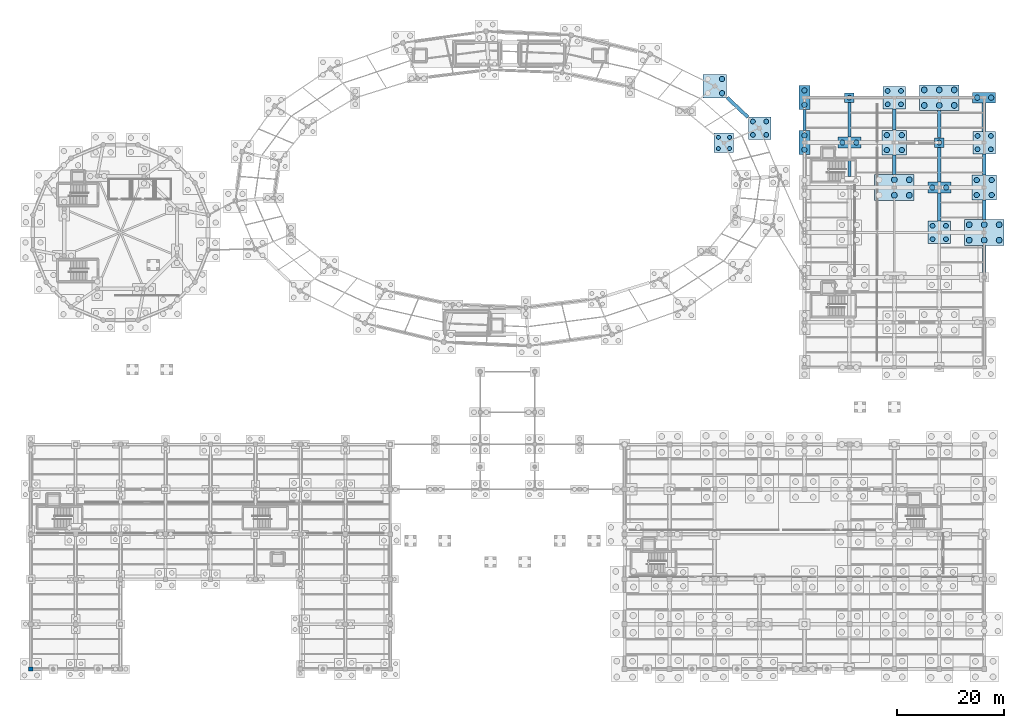
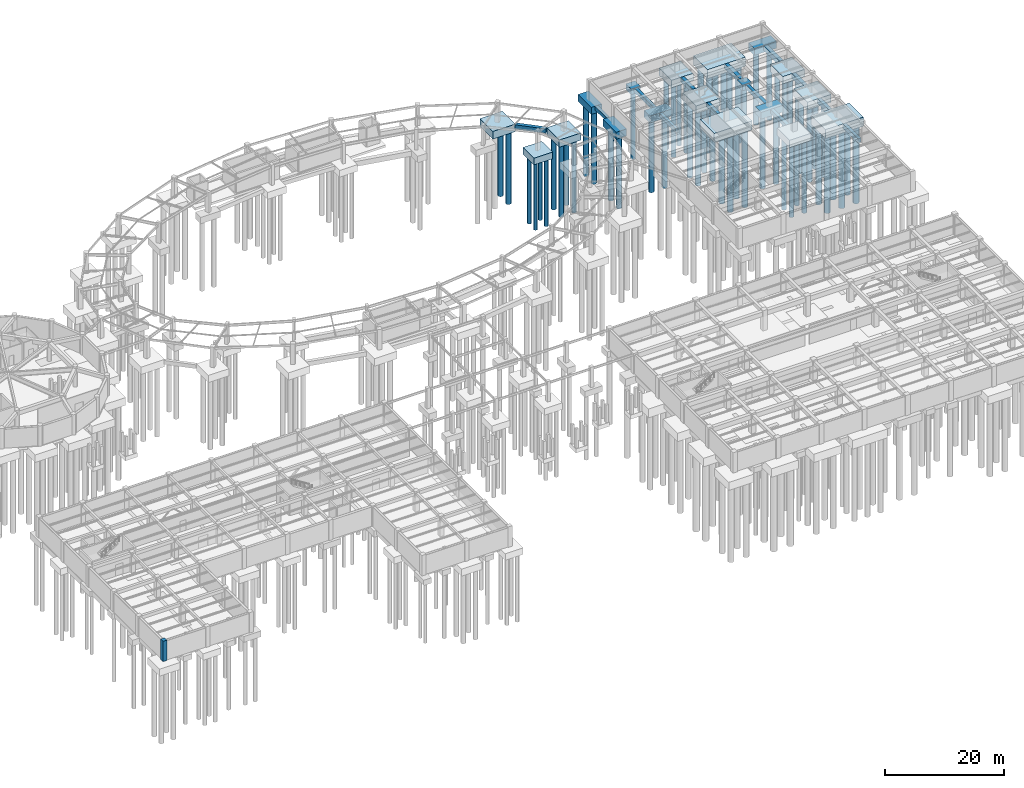
# One storey, part 10 of 38: 58 piles, 31 footings, 1 column.
"""IFC4 building model written with IfcOpenShell, lengths in metres."""

from ifc_helpers import new_model, si_unit, direction, frame, origin, origin_with_axes, origin_2d, place, context, subcontext, project, spatial, polyline, rectangle, circle, outline, extrude, material, material_profile, profile_set, type_object, element, save


model = new_model("IFC4")

# Units and contexts
model_context = context("Model", 3, precision=1e-05, world=origin(), true_north=direction((0.0, 1.0)))
body_context = subcontext(model_context, "Body", "Model", "MODEL_VIEW")
ifc_project = project(units=[si_unit("LENGTHUNIT", "METRE"), si_unit("AREAUNIT", "SQUARE_METRE"), si_unit("VOLUMEUNIT", "CUBIC_METRE"), si_unit("PLANEANGLEUNIT", "RADIAN"), si_unit("MASSUNIT", "GRAM", prefix="KILO"), si_unit("THERMODYNAMICTEMPERATUREUNIT", "KELVIN"), si_unit("POWERUNIT", "WATT")], contexts=[model_context])

# Site, building, storey
site_placement = place(None, origin())
site = spatial("IfcSite", under=ifc_project, at=site_placement, CompositionType="ELEMENT")
building_placement = place(site_placement, origin())
building = spatial("IfcBuilding", under=site, at=building_placement, Name="Darbajah Civic Hall", CompositionType="ELEMENT")
storey_placement = place(building_placement, frame((0.0, 0.0, -4.199951171875)))
storey = spatial("IfcBuildingStorey", under=building, at=storey_placement, Name="B01", CompositionType="ELEMENT", Elevation=-4.199951171875)

# Piles
ifc_material_1 = material(Name="Concrete C45/55", Category="concrete")
ifc_material_profile_1 = material_profile(ifc_material_1, circle(Radius=0.5, at=origin_2d()), Name="BORED PILE D1000")
ifc_profile_set_1 = profile_set([ifc_material_profile_1], Name="Concrete C45/55")
pile_type_1 = type_object("IfcPileType", Name="BORED PILE D1000", PredefinedType="BORED", material=ifc_profile_set_1)
for number, where, z_axis, x_axis, name in (
    (1, (129.205810546875, 107.6337890625, -1.449951171875), (0.0, 0.0, -1.0), (1.0, 0.0, 0.0), "B01 bored pile P-1000 V1O-02-2"),
    (2, (129.205810546875, 110.28369140625, -1.449951171875), (0.0, 0.0, -1.0), (1.0, 0.0, 0.0), "B01 bored pile P-1000 V1O-02-4"),
    (3, (144.60009765625, 97.050048828125, -1.35009765625), (0.0, 0.0, -1.0), (1.0, 0.0, 0.0), "B01 bored pile P-1000 V4-00-05-1"),
    (4, (144.60009765625, 99.75, -1.35009765625), (0.0, 0.0, -1.0), (1.0, 0.0, 0.0), "B01 bored pile P-1000 V4-00-05-2"),
    (5, (144.60009765625, 105.449951171875, -1.35009765625), (0.0, 0.0, -1.0), (1.0, 0.0, 0.0), "B01 bored pile P-1000 V4-00-06-1"),
    (6, (144.60009765625, 108.14990234375, -1.35009765625), (0.0, 0.0, -1.0), (1.0, 0.0, 0.0), "B01 bored pile P-1000 V4-00-06-2"),
    (7, (151.699951171875, 98.39990234375, -1.300048828125), (0.0, 0.0, -1.0), (1.0, 0.0, 0.0), "B01 bored pile P-1000 V4-01-05-1"),
    (8, (154.300048828125, 98.39990234375, -1.300048828125), (0.0, 0.0, -1.0), (1.0, 0.0, 0.0), "B01 bored pile P-1000 V4-01-05-2"),
):
    element("IfcPile", number, at=place(storey_placement, frame(where, z_axis=z_axis, x_axis=x_axis)), inside=storey, type_object=pile_type_1, Name=name, PredefinedType="BORED", context=body_context, shape_type="SweptSolid", body=[
        extrude(circle(Radius=0.5, at=origin_2d()), origin(), (0.0, 0.0, 1.0), 15.0),
    ])
for number, where, z_axis, x_axis, name in (
    (9, (160.0, 97.0, -1.5), (0.0, 0.0, -1.0), (1.0, 0.0, 0.0), "B01 bored pile P-1000 V4-02-05-1"),
    (10, (162.800048828125, 97.0, -1.5), (0.0, 0.0, -1.0), (1.0, 0.0, 0.0), "B01 bored pile P-1000 V4-02-05-2"),
    (11, (160.0, 99.800048828125, -1.5), (0.0, 0.0, -1.0), (1.0, 0.0, 0.0), "B01 bored pile P-1000 V4-02-05-3"),
    (12, (162.800048828125, 99.800048828125, -1.5), (0.0, 0.0, -1.0), (1.0, 0.0, 0.0), "B01 bored pile P-1000 V4-02-05-4"),
):
    element("IfcPile", number, at=place(storey_placement, frame(where, z_axis=z_axis, x_axis=x_axis)), inside=storey, type_object=pile_type_1, Name=name, PredefinedType="BORED", context=body_context, shape_type="SweptSolid", body=[
        extrude(circle(Radius=0.5, at=origin_2d()), origin(), (0.0, 0.0, 1.0), 15.5),
    ])
for number, where, z_axis, x_axis, name in (
    (13, (168.5, 90.0, -1.300048828125), (0.0, 0.0, -1.0), (1.0, 0.0, 0.0), "B01 bored pile P-1000 V4-03-04-1"),
    (14, (171.10009765625, 90.0, -1.300048828125), (0.0, 0.0, -1.0), (1.0, 0.0, 0.0), "B01 bored pile P-1000 V4-03-04-2"),
):
    element("IfcPile", number, at=place(storey_placement, frame(where, z_axis=z_axis, x_axis=x_axis)), inside=storey, type_object=pile_type_1, Name=name, PredefinedType="BORED", context=body_context, shape_type="SweptSolid", body=[
        extrude(circle(Radius=0.5, at=origin_2d()), origin(), (0.0, 0.0, 1.0), 15.0),
    ])
for number, where, z_axis, x_axis, name in (
    (15, (176.800048828125, 88.60009765625, -1.5), (0.0, 0.0, -1.0), (1.0, 0.0, 0.0), "B01 bored pile P-1000 V4-04-04-1"),
    (16, (179.60009765625, 88.60009765625, -1.5), (0.0, 0.0, -1.0), (1.0, 0.0, 0.0), "B01 bored pile P-1000 V4-04-04-2"),
    (17, (176.800048828125, 91.39990234375, -1.5), (0.0, 0.0, -1.0), (1.0, 0.0, 0.0), "B01 bored pile P-1000 V4-04-04-3"),
    (18, (179.60009765625, 91.39990234375, -1.5), (0.0, 0.0, -1.0), (1.0, 0.0, 0.0), "B01 bored pile P-1000 V4-04-04-4"),
):
    element("IfcPile", number, at=place(storey_placement, frame(where, z_axis=z_axis, x_axis=x_axis)), inside=storey, type_object=pile_type_1, Name=name, PredefinedType="BORED", context=body_context, shape_type="SweptSolid", body=[
        extrude(circle(Radius=0.5, at=origin_2d()), origin(), (0.0, 0.0, 1.0), 15.5),
    ])
for number, where, z_axis, x_axis, name in (
    (19, (176.89990234375, 106.800048828125, -1.300048828125), (0.0, 0.0, -1.0), (1.0, 0.0, 0.0), "B01 bored pile P-1000 V4-04-06-1"),
    (20, (179.5, 106.800048828125, -1.300048828125), (0.0, 0.0, -1.0), (1.0, 0.0, 0.0), "B01 bored pile P-1000 V4-04-06-2"),
):
    element("IfcPile", number, at=place(storey_placement, frame(where, z_axis=z_axis, x_axis=x_axis)), inside=storey, type_object=pile_type_1, Name=name, PredefinedType="BORED", context=body_context, shape_type="SweptSolid", body=[
        extrude(circle(Radius=0.5, at=origin_2d()), origin(), (0.0, 0.0, 1.0), 15.0),
    ])
ifc_material_profile_2 = material_profile(ifc_material_1, circle(Radius=0.550048828125, at=origin_2d()), Name="BORED PILE D1100")
ifc_profile_set_2 = profile_set([ifc_material_profile_2], Name="Concrete C45/55")
pile_type_2 = type_object("IfcPileType", Name="BORED PILE D1100", PredefinedType="BORED", material=ifc_profile_set_2)
for number, where, z_axis, x_axis, name in (
    (21, (161.39990234375, 88.550048828125, -1.75), (0.0, 0.0, -1.0), (1.0, 0.0, 0.0), "B01 bored pile P-1100 V4-02-04-2"),
    (22, (164.199951171875, 88.550048828125, -1.75), (0.0, 0.0, -1.0), (1.0, 0.0, 0.0), "B01 bored pile P-1100 V4-02-04-3"),
    (23, (161.39990234375, 91.449951171875, -1.75), (0.0, 0.0, -1.0), (1.0, 0.0, 0.0), "B01 bored pile P-1100 V4-02-04-5"),
    (24, (164.199951171875, 91.449951171875, -1.75), (0.0, 0.0, -1.0), (1.0, 0.0, 0.0), "B01 bored pile P-1100 V4-02-04-6"),
    (25, (167.0, 105.35009765625, -1.75), (0.0, 0.0, -1.0), (1.0, 0.0, 0.0), "B01 bored pile P-1100 V4-03-06-1"),
    (26, (169.800048828125, 105.35009765625, -1.75), (0.0, 0.0, -1.0), (1.0, 0.0, 0.0), "B01 bored pile P-1100 V4-03-06-2"),
    (27, (172.60009765625, 105.35009765625, -1.75), (0.0, 0.0, -1.0), (1.0, 0.0, 0.0), "B01 bored pile P-1100 V4-03-06-3"),
    (28, (167.0, 108.25, -1.75), (0.0, 0.0, -1.0), (1.0, 0.0, 0.0), "B01 bored pile P-1100 V4-03-06-4"),
    (29, (169.800048828125, 108.25, -1.75), (0.0, 0.0, -1.0), (1.0, 0.0, 0.0), "B01 bored pile P-1100 V4-03-06-5"),
    (30, (172.60009765625, 108.25, -1.75), (0.0, 0.0, -1.0), (1.0, 0.0, 0.0), "B01 bored pile P-1100 V4-03-06-6"),
    (31, (175.39990234375, 80.14990234375, -1.75), (0.0, 0.0, -1.0), (1.0, 0.0, 0.0), "B01 bored pile P-1100 V4-04-03-1"),
    (32, (178.199951171875, 80.14990234375, -1.75), (0.0, 0.0, -1.0), (1.0, 0.0, 0.0), "B01 bored pile P-1100 V4-04-03-2"),
    (33, (181.0, 80.14990234375, -1.75), (0.0, 0.0, -1.0), (1.0, 0.0, 0.0), "B01 bored pile P-1100 V4-04-03-3"),
    (34, (175.39990234375, 83.050048828125, -1.75), (0.0, 0.0, -1.0), (1.0, 0.0, 0.0), "B01 bored pile P-1100 V4-04-03-4"),
    (35, (178.199951171875, 83.050048828125, -1.75), (0.0, 0.0, -1.0), (1.0, 0.0, 0.0), "B01 bored pile P-1100 V4-04-03-5"),
    (36, (181.0, 83.050048828125, -1.75), (0.0, 0.0, -1.0), (1.0, 0.0, 0.0), "B01 bored pile P-1100 V4-04-03-6"),
):
    element("IfcPile", number, at=place(storey_placement, frame(where, z_axis=z_axis, x_axis=x_axis)), inside=storey, type_object=pile_type_2, Name=name, PredefinedType="BORED", context=body_context, shape_type="SweptSolid", body=[
        extrude(circle(Radius=0.550048828125, at=origin_2d()), origin(), (0.0, 0.0, 1.0), 16.0),
    ])
ifc_material_profile_3 = material_profile(ifc_material_1, circle(Radius=0.375, at=origin_2d()), Name="BORED PILE D750")
ifc_profile_set_3 = profile_set([ifc_material_profile_3], Name="Concrete C45/55")
pile_type_3 = type_object("IfcPileType", Name="BORED PILE D750", PredefinedType="BORED", material=ifc_profile_set_3)
for number, where, z_axis, x_axis, name in (
    (37, (128.515869140625, 97.28369140625, -1.300048828125), (0.0, 0.0, -1.0), (1.0, 0.0, 0.0), "B01 bored pile P-750 V1I-01-1"),
    (38, (130.615966796875, 97.28369140625, -1.300048828125), (0.0, 0.0, -1.0), (1.0, 0.0, 0.0), "B01 bored pile P-750 V1I-01-2"),
    (39, (128.515869140625, 99.3837890625, -1.300048828125), (0.0, 0.0, -1.0), (1.0, 0.0, 0.0), "B01 bored pile P-750 V1I-01-3"),
    (40, (130.615966796875, 99.3837890625, -1.300048828125), (0.0, 0.0, -1.0), (1.0, 0.0, 0.0), "B01 bored pile P-750 V1I-01-4"),
):
    element("IfcPile", number, at=place(storey_placement, frame(where, z_axis=z_axis, x_axis=x_axis)), inside=storey, type_object=pile_type_3, Name=name, PredefinedType="BORED", context=body_context, shape_type="SweptSolid", body=[
        extrude(circle(Radius=0.375, at=origin_2d()), origin(), (0.0, 0.0, 1.0), 14.0),
    ])
ifc_material_profile_4 = material_profile(ifc_material_1, circle(Radius=0.449951171875, at=origin_2d()), Name="BORED PILE D900")
ifc_profile_set_4 = profile_set([ifc_material_profile_4], Name="Concrete C45/55")
pile_type_4 = type_object("IfcPileType", Name="BORED PILE D900", PredefinedType="BORED", material=ifc_profile_set_4)
for number, where, z_axis, x_axis, name in (
    (41, (134.968017578125, 99.839111328125, -1.400146484375), (0.0, 0.0, -1.0), (1.0, 0.0, 0.0), "B01 bored pile P-900 V1O-01-1"),
    (42, (137.468017578125, 99.839111328125, -1.400146484375), (0.0, 0.0, -1.0), (1.0, 0.0, 0.0), "B01 bored pile P-900 V1O-01-2"),
    (43, (134.968017578125, 102.339111328125, -1.400146484375), (0.0, 0.0, -1.0), (1.0, 0.0, 0.0), "B01 bored pile P-900 V1O-01-3"),
    (44, (137.468017578125, 102.339111328125, -1.400146484375), (0.0, 0.0, -1.0), (1.0, 0.0, 0.0), "B01 bored pile P-900 V1O-01-4"),
):
    element("IfcPile", number, at=place(storey_placement, frame(where, z_axis=z_axis, x_axis=x_axis)), inside=storey, type_object=pile_type_4, Name=name, PredefinedType="BORED", context=body_context, shape_type="SweptSolid", body=[
        extrude(circle(Radius=0.449951171875, at=origin_2d()), origin(), (0.0, 0.0, 1.0), 15.0),
    ])
pile_1_placement = place(storey_placement, frame((153.0, 106.800048828125, -1.050048828125), z_axis=(0.0, 0.0, -1.0), x_axis=(1.0, 0.0, 0.0)))
element("IfcPile", 45, at=pile_1_placement, inside=storey, type_object=pile_type_4, Name="B01 bored pile P-900 V4-01-06-1", PredefinedType="BORED", context=body_context, shape_type="SweptSolid", body=[
    extrude(circle(Radius=0.449951171875, at=origin_2d()), origin(), (0.0, 0.0, 1.0), 14.0),
])
for number, where, z_axis, x_axis, name in (
    (46, (160.14990234375, 105.550048828125, -1.400146484375), (0.0, 0.0, -1.0), (1.0, 0.0, 0.0), "B01 bored pile P-900 V4-02-06-1"),
    (47, (162.64990234375, 105.550048828125, -1.400146484375), (0.0, 0.0, -1.0), (1.0, 0.0, 0.0), "B01 bored pile P-900 V4-02-06-2"),
    (48, (160.14990234375, 108.050048828125, -1.400146484375), (0.0, 0.0, -1.0), (1.0, 0.0, 0.0), "B01 bored pile P-900 V4-02-06-3"),
    (49, (162.64990234375, 108.050048828125, -1.400146484375), (0.0, 0.0, -1.0), (1.0, 0.0, 0.0), "B01 bored pile P-900 V4-02-06-4"),
    (50, (168.550048828125, 80.35009765625, -1.400146484375), (0.0, 0.0, -1.0), (1.0, 0.0, 0.0), "B01 bored pile P-900 V4-03-03-1"),
    (51, (171.050048828125, 80.35009765625, -1.400146484375), (0.0, 0.0, -1.0), (1.0, 0.0, 0.0), "B01 bored pile P-900 V4-03-03-2"),
    (52, (168.550048828125, 82.85009765625, -1.400146484375), (0.0, 0.0, -1.0), (1.0, 0.0, 0.0), "B01 bored pile P-900 V4-03-03-3"),
    (53, (171.050048828125, 82.85009765625, -1.400146484375), (0.0, 0.0, -1.0), (1.0, 0.0, 0.0), "B01 bored pile P-900 V4-03-03-4"),
):
    element("IfcPile", number, at=place(storey_placement, frame(where, z_axis=z_axis, x_axis=x_axis)), inside=storey, type_object=pile_type_4, Name=name, PredefinedType="BORED", context=body_context, shape_type="SweptSolid", body=[
        extrude(circle(Radius=0.449951171875, at=origin_2d()), origin(), (0.0, 0.0, 1.0), 15.0),
    ])
pile_2_placement = place(storey_placement, frame((169.800048828125, 98.39990234375, -1.050048828125), z_axis=(0.0, 0.0, -1.0), x_axis=(1.0, 0.0, 0.0)))
element("IfcPile", 54, at=pile_2_placement, inside=storey, type_object=pile_type_4, Name="B01 bored pile P-900 V4-03-05-1", PredefinedType="BORED", context=body_context, shape_type="SweptSolid", body=[
    extrude(circle(Radius=0.449951171875, at=origin_2d()), origin(), (0.0, 0.0, 1.0), 14.0),
])
for number, where, z_axis, x_axis, name in (
    (55, (176.949951171875, 97.14990234375, -1.400146484375), (0.0, 0.0, -1.0), (1.0, 0.0, 0.0), "B01 bored pile P-900 V4-04-05-1"),
    (56, (179.449951171875, 97.14990234375, -1.400146484375), (0.0, 0.0, -1.0), (1.0, 0.0, 0.0), "B01 bored pile P-900 V4-04-05-2"),
    (57, (176.949951171875, 99.64990234375, -1.400146484375), (0.0, 0.0, -1.0), (1.0, 0.0, 0.0), "B01 bored pile P-900 V4-04-05-3"),
    (58, (179.449951171875, 99.64990234375, -1.400146484375), (0.0, 0.0, -1.0), (1.0, 0.0, 0.0), "B01 bored pile P-900 V4-04-05-4"),
):
    element("IfcPile", number, at=place(storey_placement, frame(where, z_axis=z_axis, x_axis=x_axis)), inside=storey, type_object=pile_type_4, Name=name, PredefinedType="BORED", context=body_context, shape_type="SweptSolid", body=[
        extrude(circle(Radius=0.449951171875, at=origin_2d()), origin(), (0.0, 0.0, 1.0), 15.0),
    ])

# Footings
footing_type_1 = type_object("IfcFootingType", Name="Ground Strip Footing 550x800", PredefinedType="STRIP_FOOTING", material=ifc_material_1)
footing_1_placement = place(storey_placement, frame((0.0, 0.0, -0.800048828125)))
element("IfcFooting", 59, at=footing_1_placement, inside=storey, type_object=footing_type_1, Name="B01 ground strip footing SF-06", PredefinedType="STRIP_FOOTING", context=body_context, shape_type="SweptSolid", body=[
    extrude(outline(polyline([(144.875, 100.6298828125), (144.875, 104.570068359375), (144.324951171875, 104.570068359375), (144.324951171875, 100.6298828125), (144.875, 100.6298828125)])), origin(), (0.0, 0.0, 1.0), 0.800048828125),
])
footing_2_placement = place(storey_placement, frame((0.0, 0.0, -0.800048828125)))
element("IfcFooting", 60, at=footing_2_placement, inside=storey, type_object=footing_type_1, Name="B01 ground strip footing SF-06", PredefinedType="STRIP_FOOTING", context=body_context, shape_type="SweptSolid", body=[
    extrude(outline(polyline([(153.27490234375, 92.10498046875), (153.27490234375, 97.39501953125), (152.72509765625, 97.39501953125), (152.72509765625, 92.10498046875), (153.27490234375, 92.10498046875)])), origin(), (0.0, 0.0, 1.0), 0.800048828125),
])
footing_type_2 = type_object("IfcFootingType", Name="Ground Strip Footing 600x850", PredefinedType="STRIP_FOOTING", material=ifc_material_1)
footing_3_placement = place(storey_placement, frame((0.0, 0.0, -0.85009765625)))
element("IfcFooting", 61, at=footing_3_placement, inside=storey, type_object=footing_type_2, Name="B01 ground strip footing SF-01", PredefinedType="STRIP_FOOTING", context=body_context, shape_type="SweptSolid", body=[
    extrude(outline(polyline([(153.300048828125, 99.405029296875), (153.300048828125, 105.89501953125), (152.699951171875, 105.89501953125), (152.699951171875, 99.405029296875), (153.300048828125, 99.405029296875)])), origin(), (0.0, 0.0, 1.0), 0.85009765625),
])
footing_4_placement = place(storey_placement, frame((0.0, 0.0, -0.85009765625)))
element("IfcFooting", 62, at=footing_4_placement, inside=storey, type_object=footing_type_2, Name="B01 ground strip footing SF-01", PredefinedType="STRIP_FOOTING", context=body_context, shape_type="SweptSolid", body=[
    extrude(outline(polyline([(161.699951171875, 92.405029296875), (161.699951171875, 96.094970703125), (161.10009765625, 96.094970703125), (161.10009765625, 92.405029296875), (161.699951171875, 92.405029296875)])), origin(), (0.0, 0.0, 1.0), 0.85009765625),
])
footing_5_placement = place(storey_placement, frame((0.0, 0.0, -0.85009765625)))
element("IfcFooting", 63, at=footing_5_placement, inside=storey, type_object=footing_type_2, Name="B01 ground strip footing SF-01", PredefinedType="STRIP_FOOTING", context=body_context, shape_type="SweptSolid", body=[
    extrude(outline(polyline([(170.10009765625, 83.705078125), (170.10009765625, 88.9951171875), (169.5, 88.9951171875), (169.5, 83.705078125), (170.10009765625, 83.705078125)])), origin(), (0.0, 0.0, 1.0), 0.85009765625),
])
footing_6_placement = place(storey_placement, frame((0.0, 0.0, -0.85009765625)))
element("IfcFooting", 64, at=footing_6_placement, inside=storey, type_object=footing_type_2, Name="B01 ground strip footing SF-01", PredefinedType="STRIP_FOOTING", context=body_context, shape_type="SweptSolid", body=[
    extrude(outline(polyline([(178.5, 74.10498046875), (178.5, 79.195068359375), (177.89990234375, 79.195068359375), (177.89990234375, 74.10498046875), (178.5, 74.10498046875)])), origin(), (0.0, 0.0, 1.0), 0.85009765625),
])
footing_type_3 = type_object("IfcFootingType", Name="Ground Strip Footing 650x900", PredefinedType="STRIP_FOOTING", material=ifc_material_1)
footing_7_placement = place(storey_placement, frame((0.0, 0.0, -0.900146484375)))
element("IfcFooting", 65, at=footing_7_placement, inside=storey, type_object=footing_type_3, Name="B01 ground strip footing SF-02", PredefinedType="STRIP_FOOTING", context=body_context, shape_type="SweptSolid", body=[
    extrude(outline(polyline([(134.278564453125, 103.36669921875), (130.368896484375, 107.056884765625), (129.9228515625, 106.584228515625), (133.83251953125, 102.89404296875), (134.278564453125, 103.36669921875)])), origin(), (0.0, 0.0, 1.0), 0.900146484375),
])
footing_8_placement = place(storey_placement, frame((0.0, 0.0, -0.900146484375)))
element("IfcFooting", 66, at=footing_8_placement, inside=storey, type_object=footing_type_3, Name="B01 ground strip footing SF-02", PredefinedType="STRIP_FOOTING", context=body_context, shape_type="SweptSolid", body=[
    extrude(outline(polyline([(161.72509765625, 100.705078125), (161.72509765625, 104.695068359375), (161.074951171875, 104.695068359375), (161.074951171875, 100.705078125), (161.72509765625, 100.705078125)])), origin(), (0.0, 0.0, 1.0), 0.900146484375),
])
footing_9_placement = place(storey_placement, frame((0.0, 0.0, -0.900146484375)))
element("IfcFooting", 67, at=footing_9_placement, inside=storey, type_object=footing_type_3, Name="B01 ground strip footing SF-02", PredefinedType="STRIP_FOOTING", context=body_context, shape_type="SweptSolid", body=[
    extrude(outline(polyline([(170.125, 91.0048828125), (170.125, 97.4951171875), (169.47509765625, 97.4951171875), (169.47509765625, 91.0048828125), (170.125, 91.0048828125)])), origin(), (0.0, 0.0, 1.0), 0.900146484375),
])
footing_10_placement = place(storey_placement, frame((0.0, 0.0, -0.900146484375)))
element("IfcFooting", 68, at=footing_10_placement, inside=storey, type_object=footing_type_3, Name="B01 ground strip footing SF-02", PredefinedType="STRIP_FOOTING", context=body_context, shape_type="SweptSolid", body=[
    extrude(outline(polyline([(178.52490234375, 84.0048828125), (178.52490234375, 87.695068359375), (177.875, 87.695068359375), (177.875, 84.0048828125), (178.52490234375, 84.0048828125)])), origin(), (0.0, 0.0, 1.0), 0.900146484375),
])
footing_type_4 = type_object("IfcFootingType", Name="Ground Strip Footing 700x950", PredefinedType="STRIP_FOOTING", material=ifc_material_1)
footing_11_placement = place(storey_placement, frame((0.0, 0.0, -0.949951171875)))
element("IfcFooting", 69, at=footing_11_placement, inside=storey, type_object=footing_type_4, Name="B01 ground strip footing SF-03", PredefinedType="STRIP_FOOTING", context=body_context, shape_type="SweptSolid", body=[
    extrude(outline(polyline([(170.14990234375, 99.304931640625), (170.14990234375, 104.39501953125), (169.449951171875, 104.39501953125), (169.449951171875, 99.304931640625), (170.14990234375, 99.304931640625)])), origin(), (0.0, 0.0, 1.0), 0.949951171875),
])
footing_12_placement = place(storey_placement, frame((0.0, 0.0, -0.949951171875)))
element("IfcFooting", 70, at=footing_12_placement, inside=storey, type_object=footing_type_4, Name="B01 ground strip footing SF-03", PredefinedType="STRIP_FOOTING", context=body_context, shape_type="SweptSolid", body=[
    extrude(outline(polyline([(178.550048828125, 92.304931640625), (178.550048828125, 96.294921875), (177.85009765625, 96.294921875), (177.85009765625, 92.304931640625), (178.550048828125, 92.304931640625)])), origin(), (0.0, 0.0, 1.0), 0.949951171875),
])
footing_type_5 = type_object("IfcFootingType", Name="Ground Strip Footing 750x1000", PredefinedType="STRIP_FOOTING", material=ifc_material_1)
footing_13_placement = place(storey_placement, frame((0.0, 0.0, -1.0)))
element("IfcFooting", 71, at=footing_13_placement, inside=storey, type_object=footing_type_5, Name="B01 ground strip footing SF-04", PredefinedType="STRIP_FOOTING", context=body_context, shape_type="SweptSolid", body=[
    extrude(outline(polyline([(178.574951171875, 100.5048828125), (178.574951171875, 105.794921875), (177.824951171875, 105.794921875), (177.824951171875, 100.5048828125), (178.574951171875, 100.5048828125)])), origin(), (0.0, 0.0, 1.0), 1.0),
])
footing_type_6 = type_object("IfcFootingType", Name="Pile Cap 1800x1800x1150", PredefinedType="PILE_CAP", material=ifc_material_1)
for number, where, z_axis, x_axis, name in (
    (72, (153.0, 106.800048828125, -1.14990234375), (0.0, 0.0, 1.0), (1.0, 0.0, 0.0), "B01 pile cap PC-1B at V4-01-06"),
    (73, (169.800048828125, 98.39990234375, -1.14990234375), (0.0, 0.0, 1.0), (1.0, 0.0, 0.0), "B01 pile cap PC-1B at V4-03-05"),
):
    element("IfcFooting", number, at=place(storey_placement, frame(where, z_axis=z_axis, x_axis=x_axis)), inside=storey, type_object=footing_type_6, Name=name, PredefinedType="PILE_CAP", context=body_context, shape_type="SweptSolid", body=[
        extrude(rectangle(XDim=1.800048828125, YDim=1.800048828125, at=origin_2d()), origin(), (0.0, 0.0, 1.0), 1.14990234375),
    ])
footing_type_7 = type_object("IfcFootingType", Name="Pile Cap 2050x4450x1450", PredefinedType="PILE_CAP", material=ifc_material_1)
for number, where, z_axis, x_axis, name in (
    (74, (144.60009765625, 98.39990234375, -1.4501953125), (0.0, 0.0, 1.0), (1.0, 0.0, 0.0), "B01 pile cap PC-2F at V4-00-05"),
    (75, (144.60009765625, 106.800048828125, -1.4501953125), (0.0, 0.0, 1.0), (1.0, 0.0, 0.0), "B01 pile cap PC-2F at V4-00-06"),
):
    element("IfcFooting", number, at=place(storey_placement, frame(where, z_axis=z_axis, x_axis=x_axis)), inside=storey, type_object=footing_type_7, Name=name, PredefinedType="PILE_CAP", context=body_context, shape_type="SweptSolid", body=[
        extrude(rectangle(XDim=2.050048828125, YDim=4.449951171875, at=origin_2d()), origin(), (0.0, 0.0, 1.0), 1.449951171875),
    ])
footing_type_8 = type_object("IfcFootingType", Name="Pile Cap 3650x3650x1400", PredefinedType="PILE_CAP", material=ifc_material_1)
footing_14_placement = place(storey_placement, frame((129.56591796875, 98.333740234375, -1.39990234375), z_axis=(0.0, 0.0, 1.0), x_axis=(1.0, 0.0, 0.0)))
element("IfcFooting", 76, at=footing_14_placement, inside=storey, type_object=footing_type_8, Name="B01 pile cap PC-4B at V1I-01", PredefinedType="PILE_CAP", context=body_context, shape_type="SweptSolid", body=[
    extrude(rectangle(XDim=3.64990234375, YDim=3.64990234375, at=origin_2d()), origin(), (0.0, 0.0, 1.0), 1.39990234375),
])
footing_type_9 = type_object("IfcFootingType", Name="Pile Cap 4200x4200x1500", PredefinedType="PILE_CAP", material=ifc_material_1)
for number, where, z_axis, x_axis, name in (
    (77, (136.218017578125, 101.089111328125, -1.5), (0.0, 0.0, 1.0), (1.0, 0.0, 0.0), "B01 pile cap PC-4D at V1O-01"),
    (78, (161.39990234375, 106.800048828125, -1.5), (0.0, 0.0, 1.0), (1.0, 0.0, 0.0), "B01 pile cap PC-4D at V4-02-06"),
    (79, (169.800048828125, 81.60009765625, -1.5), (0.0, 0.0, 1.0), (1.0, 0.0, 0.0), "B01 pile cap PC-4D at V4-03-03"),
    (80, (178.199951171875, 98.39990234375, -1.5), (0.0, 0.0, 1.0), (1.0, 0.0, 0.0), "B01 pile cap PC-4D at V4-04-05"),
):
    element("IfcFooting", number, at=place(storey_placement, frame(where, z_axis=z_axis, x_axis=x_axis)), inside=storey, type_object=footing_type_9, Name=name, PredefinedType="PILE_CAP", context=body_context, shape_type="SweptSolid", body=[
        extrude(rectangle(XDim=4.199951171875, YDim=4.199951171875, at=origin_2d()), origin(), (0.0, 0.0, 1.0), 1.5),
    ])
footing_type_10 = type_object("IfcFootingType", Name="Pile Cap 4300x2000x1400", PredefinedType="PILE_CAP", material=ifc_material_1)
for number, where, z_axis, x_axis, name in (
    (81, (153.0, 98.39990234375, -1.39990234375), (0.0, 0.0, 1.0), (1.0, 0.0, 0.0), "B01 pile cap PC-2E at V4-01-05"),
    (82, (169.800048828125, 90.0, -1.39990234375), (0.0, 0.0, 1.0), (1.0, 0.0, 0.0), "B01 pile cap PC-2E at V4-03-04"),
    (83, (178.199951171875, 106.800048828125, -1.39990234375), (0.0, 0.0, 1.0), (1.0, 0.0, 0.0), "B01 pile cap PC-2E at V4-04-06"),
):
    element("IfcFooting", number, at=place(storey_placement, frame(where, z_axis=z_axis, x_axis=x_axis)), inside=storey, type_object=footing_type_10, Name=name, PredefinedType="PILE_CAP", context=body_context, shape_type="SweptSolid", body=[
        extrude(rectangle(XDim=4.300048828125, YDim=2.0, at=origin_2d()), origin(), (0.0, 0.0, 1.0), 1.39990234375),
    ])
footing_type_11 = type_object("IfcFootingType", Name="Pile Cap 4400x4400x1550", PredefinedType="PILE_CAP", material=ifc_material_1)
footing_15_placement = place(storey_placement, frame((127.880615234375, 108.958740234375, -1.55029296875), z_axis=(0.0, 0.0, 1.0), x_axis=(1.0, 0.0, 0.0)))
element("IfcFooting", 84, at=footing_15_placement, inside=storey, type_object=footing_type_11, Name="B01 pile cap PC-4E at V1O-02", PredefinedType="PILE_CAP", context=body_context, shape_type="SweptSolid", body=[
    extrude(rectangle(XDim=4.39990234375, YDim=4.39990234375, at=origin_2d()), origin(), (0.0, 0.0, 1.0), 1.550048828125),
])
footing_type_12 = type_object("IfcFootingType", Name="Pile Cap 4600x4600x1600", PredefinedType="PILE_CAP", material=ifc_material_1)
for number, where, z_axis, x_axis, name in (
    (85, (161.39990234375, 98.39990234375, -1.60009765625), (0.0, 0.0, 1.0), (1.0, 0.0, 0.0), "B01 pile cap PC-4F at V4-02-05"),
    (86, (178.199951171875, 90.0, -1.60009765625), (0.0, 0.0, 1.0), (1.0, 0.0, 0.0), "B01 pile cap PC-4F at V4-04-04"),
):
    element("IfcFooting", number, at=place(storey_placement, frame(where, z_axis=z_axis, x_axis=x_axis)), inside=storey, type_object=footing_type_12, Name=name, PredefinedType="PILE_CAP", context=body_context, shape_type="SweptSolid", body=[
        extrude(rectangle(XDim=4.60009765625, YDim=4.60009765625, at=origin_2d()), origin(), (0.0, 0.0, 1.0), 1.60009765625),
    ])
footing_type_13 = type_object("IfcFootingType", Name="Pile Cap 7400x4800x1850", PredefinedType="PILE_CAP", material=ifc_material_1)
for number, where, z_axis, x_axis, name in (
    (87, (161.39990234375, 90.0, -1.85009765625), (0.0, 0.0, 1.0), (1.0, 0.0, 0.0), "B01 pile cap PC-6B at V4-02-04"),
    (88, (169.800048828125, 106.800048828125, -1.85009765625), (0.0, 0.0, 1.0), (1.0, 0.0, 0.0), "B01 pile cap PC-6B at V4-03-06"),
    (89, (178.199951171875, 81.60009765625, -1.85009765625), (0.0, 0.0, 1.0), (1.0, 0.0, 0.0), "B01 pile cap PC-6B at V4-04-03"),
):
    element("IfcFooting", number, at=place(storey_placement, frame(where, z_axis=z_axis, x_axis=x_axis)), inside=storey, type_object=footing_type_13, Name=name, PredefinedType="PILE_CAP", context=body_context, shape_type="SweptSolid", body=[
        extrude(rectangle(XDim=7.39990234375, YDim=4.800048828125, at=origin_2d()), origin(), (0.0, 0.0, 1.0), 1.85009765625),
    ])

# Column
ifc_material_2 = material(Name="Concrete C50/60", Category="concrete")
ifc_material_profile_5 = material_profile(ifc_material_2, rectangle(XDim=0.800048828125, YDim=0.800048828125, at=origin_2d()), Name="RC COL 800x800")
ifc_profile_set_5 = profile_set([ifc_material_profile_5], Name="Concrete C50/60")
column_type = type_object("IfcColumnType", Name="RC COL 800x800", PredefinedType="COLUMN", material=ifc_profile_set_5)
column_placement = place(storey_placement, origin_with_axes())
element("IfcColumn", 90, at=column_placement, inside=storey, type_object=column_type, Name="B01 column C-RC800", PredefinedType="COLUMN", context=body_context, shape_type="SweptSolid", body=[
    extrude(rectangle(XDim=0.800048828125, YDim=0.800048828125, at=origin_2d()), origin(), (0.0, 0.0, 1.0), 4.199951171875),
])

save(model, "model.ifc")
